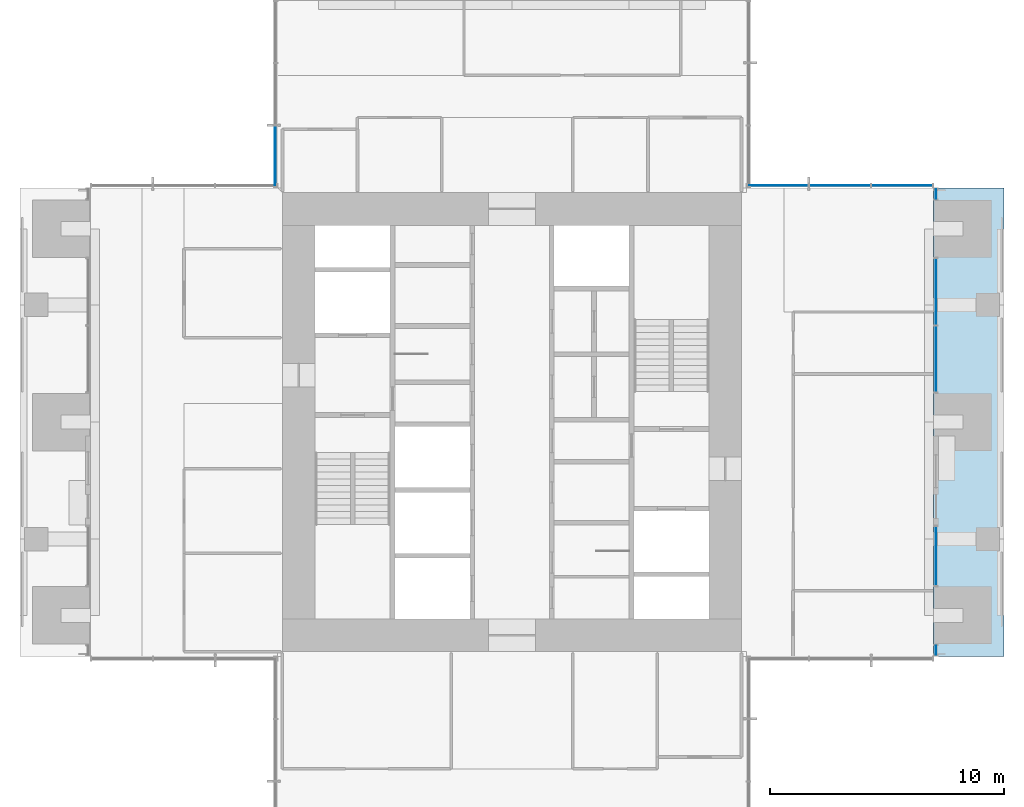
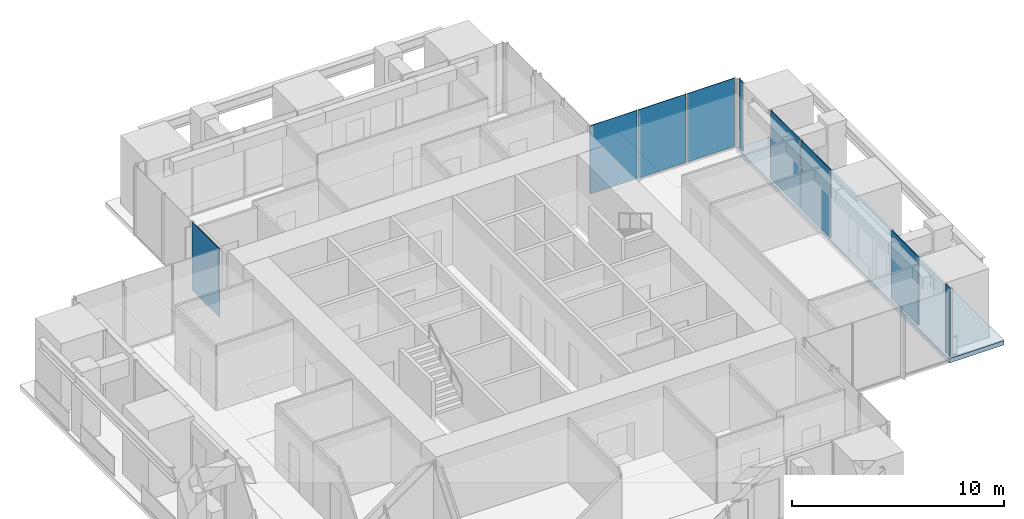
# One storey, part 10 of 17: 9 plates, 1 slab, 6 elements without a shape of their own.
"""IFC4 building model written with IfcOpenShell, lengths in metres."""

import ifcopenshell
import ifcopenshell.guid

model = None  # the IFC model being written
_history = None  # IfcOwnerHistory: only IFC2X3 demands one
_inside = {}  # id of a spatial element -> (the spatial element, [elements in it])
_under = {}  # id of a project, library or spatial element -> (it, [spatial elements below it])
_declared = {}  # id of a project -> (the project, [libraries it declares])
_typed = {}  # id of a type object -> (the type object, [elements of that type])
_made_of = {}  # id of a material, layer set ... -> (it, [elements and type objects made of it])


def new_model(schema):
    """Start an empty IFC model of exactly this schema.

    Asked for "IFC4X3", IfcOpenShell would pick the latest addendum, in which some entities
    have other attributes; the version numbers below select the first issue.
    IFC2X3 requires an IfcOwnerHistory on every rooted entity: one is made here for all.
    """
    global model, _history
    if schema == "IFC4X3":
        model = ifcopenshell.file(schema_version=(4, 3, 0, 0))
    else:
        model = ifcopenshell.file(schema=schema)
    _inside.clear()
    _under.clear()
    _declared.clear()
    _typed.clear()
    _made_of.clear()
    _history = None
    if model.schema == "IFC2X3":
        org = make("IfcOrganization", Name="unknown")
        user = make(
            "IfcPersonAndOrganization",
            ThePerson=make("IfcPerson", FamilyName="unknown"),
            TheOrganization=org,
        )
        app = make(
            "IfcApplication",
            ApplicationDeveloper=org,
            Version="unknown",
            ApplicationFullName="unknown",
            ApplicationIdentifier="unknown",
        )
        _history = make(
            "IfcOwnerHistory",
            OwningUser=user,
            OwningApplication=app,
            ChangeAction="ADDED",
            CreationDate=0,
        )
    return model


def make(cls, **values):
    """One entity of the class cls with the attributes given. An attribute that is None is left unset."""
    return model.create_entity(
        cls, **{name: value for name, value in values.items() if value is not None}
    )


def rooted(cls, **values):
    """An entity with a GlobalId (a new one), such as an element, a storey or a relation."""
    return make(cls, GlobalId=ifcopenshell.guid.new(), OwnerHistory=_history, **values)


def si_unit(unit_type, name, prefix=None):
    """IfcSIUnit, for example si_unit("LENGTHUNIT", "METRE", prefix="MILLI")."""
    return make("IfcSIUnit", UnitType=unit_type, Prefix=prefix, Name=name)


def assignment(units):
    """IfcUnitAssignment: the units of a project."""
    return None if units is None else make("IfcUnitAssignment", Units=units)


def point(xyz):
    """IfcCartesianPoint."""
    return None if xyz is None else make("IfcCartesianPoint", Coordinates=xyz)


def direction(xyz):
    """IfcDirection."""
    return None if xyz is None else make("IfcDirection", DirectionRatios=xyz)


def frame(location, z_axis=None, x_axis=None):
    """IfcAxis2Placement3D, a coordinate frame: its origin and axes. An axis left out is left unset."""
    return make(
        "IfcAxis2Placement3D",
        Location=point(location),
        Axis=direction(z_axis),
        RefDirection=direction(x_axis),
    )


def frame_2d(location, x_axis=None):
    """IfcAxis2Placement2D, a coordinate frame in the plane: its origin and x axis."""
    return make(
        "IfcAxis2Placement2D", Location=point(location), RefDirection=direction(x_axis)
    )


def origin():
    """The frame at (0, 0, 0) with its axes left unset."""
    return frame((0.0, 0.0, 0.0))


def origin_2d():
    """The frame at (0, 0) in the plane with its x axis left unset."""
    return frame_2d((0.0, 0.0))


def place(relative_to, where):
    """IfcLocalPlacement: puts the frame where relative to a parent placement (None: the world)."""
    return make(
        "IfcLocalPlacement", PlacementRelTo=relative_to, RelativePlacement=where
    )


def context(
    kind, dimensions, precision=None, world=None, true_north=None, identifier=None
):
    """IfcGeometricRepresentationContext, for example the 3D "Model" context."""
    return make(
        "IfcGeometricRepresentationContext",
        ContextIdentifier=identifier,
        ContextType=kind,
        CoordinateSpaceDimension=dimensions,
        Precision=precision,
        WorldCoordinateSystem=world,
        TrueNorth=true_north,
    )


def subcontext(parent, identifier, kind, view, scale=None):
    """IfcGeometricRepresentationSubContext, for example "Body" below "Model"."""
    return make(
        "IfcGeometricRepresentationSubContext",
        ContextIdentifier=identifier,
        ContextType=kind,
        ParentContext=parent,
        TargetScale=scale,
        TargetView=view,
    )


def project(units=None, contexts=None):
    """IfcProject with its units and contexts."""
    return rooted(
        "IfcProject",
        Name="project",
        RepresentationContexts=contexts,
        UnitsInContext=assignment(units),
    )


def spatial(cls, under=None, at=None, **own):
    """A site, building, storey or space (cls), placed at a placement, below another one or the project."""
    s = rooted(cls, ObjectPlacement=at, **own)
    if under is not None:
        _under.setdefault(under.id(), (under, []))[1].append(s)
    return s


def polyline(points):
    """IfcPolyline through the points."""
    return make("IfcPolyline", Points=[point(p) for p in points])


def profile(cls, at=None, kind="AREA", **sizes):
    """A parametric profile (cls). Its sizes go by their IFC names, for example OverallWidth=200.0."""
    return make(cls, ProfileType=kind, Position=at, **sizes)


def rectangle(**sizes):
    """IfcRectangleProfileDef."""
    return profile("IfcRectangleProfileDef", **sizes)


def outline(outer, holes=None, kind="AREA"):
    """IfcArbitraryClosedProfileDef: a profile drawn as a closed curve; with holes, ...WithVoids."""
    if holes is None:
        return make("IfcArbitraryClosedProfileDef", ProfileType=kind, OuterCurve=outer)
    return make(
        "IfcArbitraryProfileDefWithVoids",
        ProfileType=kind,
        OuterCurve=outer,
        InnerCurves=holes,
    )


def extrude(swept, where, along, depth):
    """IfcExtrudedAreaSolid: the profile swept, set in the frame where, extruded along a direction by depth."""
    return make(
        "IfcExtrudedAreaSolid",
        SweptArea=swept,
        Position=where,
        ExtrudedDirection=direction(along),
        Depth=depth,
    )


def shape(context_of_items, identifier, shape_type, items):
    """IfcShapeRepresentation: the items that make up one representation, for example the "Body"."""
    return make(
        "IfcShapeRepresentation",
        ContextOfItems=context_of_items,
        RepresentationIdentifier=identifier,
        RepresentationType=shape_type,
        Items=items,
    )


def material(Name=None, Category=None):
    """IfcMaterial."""
    return make("IfcMaterial", Name=Name, Category=Category)


def layer(
    of_material, thickness, ventilated=None, Name=None, Category=None, Priority=None
):
    """IfcMaterialLayer: one layer of a wall or slab, of a material (None: an air gap)."""
    return make(
        "IfcMaterialLayer",
        Material=of_material,
        LayerThickness=thickness,
        IsVentilated=ventilated,
        Name=Name,
        Category=Category,
        Priority=Priority,
    )


def layer_set(layers, Name=None):
    """IfcMaterialLayerSet."""
    return make("IfcMaterialLayerSet", MaterialLayers=layers, LayerSetName=Name)


def made_of(thing, what):
    """Note that an element or type object is made of a material, layer set ...; save() writes the relation."""
    if what is not None:
        _made_of.setdefault(what.id(), (what, []))[1].append(thing)
    return thing


def type_object(cls, material=None, **own):
    """A type object (cls), such as IfcWallType, which elements share."""
    return made_of(rooted(cls, **own), material)


def element(
    cls,
    number,
    at=None,
    inside=None,
    cuts=None,
    type_object=None,
    material=None,
    context=None,
    identifier="Body",
    shape_type=None,
    held_by="IfcProductDefinitionShape",
    body=None,
    shapes=None,
    **own,
):
    """One element of the class cls, such as IfcWall. Its Tag is "e" and its number.

    at: its placement. inside: the storey or other place that contains it. cuts: it is an
    opening in that element (IfcRelVoidsElement). A single representation is given by context,
    identifier, shape_type and body (its items); several are given by shapes. held_by: the class
    of the entity that holds the representations. save() writes the other relations.
    """
    e = rooted(cls, Tag="e%d" % number, ObjectPlacement=at, **own)
    if body is not None:
        shapes = [shape(context, identifier, shape_type, body)]
    if shapes is not None:
        e.Representation = make(held_by, Representations=shapes)
    if inside is not None:
        _inside.setdefault(inside.id(), (inside, []))[1].append(e)
    if cuts is not None:
        rooted(
            "IfcRelVoidsElement", RelatingBuildingElement=cuts, RelatedOpeningElement=e
        )
    if type_object is not None:
        _typed.setdefault(type_object.id(), (type_object, []))[1].append(e)
    return made_of(e, material)


def aggregate(whole, parts):
    """IfcRelAggregates: a whole, such as a stair, and the parts it consists of."""
    return rooted("IfcRelAggregates", RelatingObject=whole, RelatedObjects=parts)


def save(model, path):
    """Write the relations noted so far, then the file.

    IfcRelAggregates (storeys below a building ...), IfcRelContainedInSpatialStructure (elements
    in a storey), IfcRelDefinesByType, IfcRelAssociatesMaterial and IfcRelDeclares: one each for
    every whole, place, type object, material and project.
    """
    for whole, parts in _under.values():
        aggregate(whole, parts)
    for where, things in _inside.values():
        rooted(
            "IfcRelContainedInSpatialStructure",
            RelatedElements=things,
            RelatingStructure=where,
        )
    for kind, things in _typed.values():
        rooted("IfcRelDefinesByType", RelatedObjects=things, RelatingType=kind)
    for what, things in _made_of.values():
        rooted("IfcRelAssociatesMaterial", RelatedObjects=things, RelatingMaterial=what)
    for by, libraries in _declared.values():
        rooted("IfcRelDeclares", RelatingContext=by, RelatedDefinitions=libraries)
    model.write(path)


model = new_model("IFC4")

# Units and contexts
model_context = context("Model", 3, precision=1e-05, world=origin(), true_north=direction((0.0, 1.0)))
body_context = subcontext(model_context, "Body", "Model", "MODEL_VIEW")
ifc_project = project(units=[si_unit("LENGTHUNIT", "METRE"), si_unit("AREAUNIT", "SQUARE_METRE"), si_unit("VOLUMEUNIT", "CUBIC_METRE"), si_unit("PLANEANGLEUNIT", "RADIAN"), si_unit("MASSUNIT", "GRAM", prefix="KILO")], contexts=[model_context])

# Site, building, storey
site_placement = place(None, origin())
site = spatial("IfcSite", under=ifc_project, at=site_placement, CompositionType="ELEMENT")
building_placement = place(site_placement, origin())
building = spatial("IfcBuilding", under=site, at=building_placement, Name="Svetlomir Tower", CompositionType="ELEMENT")
storey_placement = place(building_placement, frame((0.0, 0.0, 186.5)))
storey = spatial("IfcBuildingStorey", under=building, at=storey_placement, Name="L44", CompositionType="ELEMENT", Elevation=186.5)

# Curtain wall, plate
ifc_material_1 = material(Name="Bronze anodised aluminium curtain wall", Category="aluminium")
curtain_wall_type = type_object("IfcCurtainWallType", Name="CURTAIN WALL CW1 TOWER OFFICE", PredefinedType="NOTDEFINED", material=ifc_material_1)
curtain_wall_1_placement = place(storey_placement, origin())
curtain_wall_1 = element("IfcCurtainWall", 1, at=curtain_wall_1_placement, inside=storey, type_object=curtain_wall_type, Name="Curtain wall CW1 L44", PredefinedType="NOTDEFINED")
ifc_material_2 = material(Name="Tinted double glazed unit", Category="glass")
ifc_layer_1 = layer(ifc_material_2, 0.031982421875)
ifc_layer_set_1 = layer_set([ifc_layer_1], Name="Tinted double glazed unit")
plate_type = type_object("IfcPlateType", Name="CW1 GLAZED PANEL 32", PredefinedType="CURTAIN_PANEL", material=ifc_layer_set_1)
plate_1_placement = place(storey_placement, frame((39.10009765625, 11.262451171875, 0.06494140625), z_axis=(0.0, 0.0, 1.0), x_axis=(0.0, 1.0, 0.0)))
plate_1 = element("IfcPlate", 2, at=plate_1_placement, type_object=plate_type, Name="CW1 panel 1.1", PredefinedType="CURTAIN_PANEL", context=body_context, shape_type="SweptSolid", body=[
    extrude(rectangle(XDim=0.39501953125, YDim=0.031982421875, at=origin_2d()), origin(), (0.0, 0.0, 1.0), 3.93505859375),
])
aggregate(curtain_wall_1, [plate_1])

curtain_wall_2_placement = place(storey_placement, origin())
curtain_wall_2 = element("IfcCurtainWall", 3, at=curtain_wall_2_placement, inside=storey, type_object=curtain_wall_type, Name="Curtain wall CW1 L44", PredefinedType="NOTDEFINED")
plate_2_placement = place(storey_placement, frame((39.10009765625, 15.28759765625, 0.06494140625), z_axis=(0.0, 0.0, 1.0), x_axis=(0.0, 1.0, 0.0)))
plate_2 = element("IfcPlate", 4, at=plate_2_placement, type_object=plate_type, Name="CW1 panel 1.1", PredefinedType="CURTAIN_PANEL", context=body_context, shape_type="SweptSolid", body=[
    extrude(rectangle(XDim=2.4951171875, YDim=0.031982421875, at=origin_2d()), origin(), (0.0, 0.0, 1.0), 3.93505859375),
])
aggregate(curtain_wall_2, [plate_2])

# Curtain wall, plates
curtain_wall_3_placement = place(storey_placement, origin())
curtain_wall_3 = element("IfcCurtainWall", 5, at=curtain_wall_3_placement, inside=storey, type_object=curtain_wall_type, Name="Curtain wall CW1 L44", PredefinedType="NOTDEFINED")
plate_3_placement = place(storey_placement, frame((39.10009765625, 23.691162109375, 0.06494140625), z_axis=(0.0, 0.0, 1.0), x_axis=(0.0, 1.0, 0.0)))
plate_3 = element("IfcPlate", 6, at=plate_3_placement, type_object=plate_type, Name="CW1 panel 1.1", PredefinedType="CURTAIN_PANEL", context=body_context, shape_type="SweptSolid", body=[
    extrude(rectangle(XDim=2.802490234375, YDim=0.031982421875, at=origin_2d()), origin(), (0.0, 0.0, 1.0), 3.93505859375),
])
plate_4_placement = place(storey_placement, frame((39.10009765625, 26.558837890625, 0.06494140625), z_axis=(0.0, 0.0, 1.0), x_axis=(0.0, 1.0, 0.0)))
plate_4 = element("IfcPlate", 7, at=plate_4_placement, type_object=plate_type, Name="CW1 panel 2.1", PredefinedType="CURTAIN_PANEL", context=body_context, shape_type="SweptSolid", body=[
    extrude(rectangle(XDim=2.802490234375, YDim=0.031982421875, at=origin_2d()), origin(), (0.0, 0.0, 1.0), 3.93505859375),
])
aggregate(curtain_wall_3, [plate_3, plate_4])

# Curtain wall, plate
curtain_wall_4_placement = place(storey_placement, origin())
curtain_wall_4 = element("IfcCurtainWall", 8, at=curtain_wall_4_placement, inside=storey, type_object=curtain_wall_type, Name="Curtain wall CW1 L44", PredefinedType="NOTDEFINED")
plate_5_placement = place(storey_placement, frame((39.10009765625, 30.737548828125, 0.06494140625), z_axis=(0.0, 0.0, 1.0), x_axis=(0.0, 1.0, 0.0)))
plate_5 = element("IfcPlate", 9, at=plate_5_placement, type_object=plate_type, Name="CW1 panel 1.1", PredefinedType="CURTAIN_PANEL", context=body_context, shape_type="SweptSolid", body=[
    extrude(rectangle(XDim=0.39501953125, YDim=0.031982421875, at=origin_2d()), origin(), (0.0, 0.0, 1.0), 3.93505859375),
])
aggregate(curtain_wall_4, [plate_5])

# Curtain wall, plates
curtain_wall_5_placement = place(storey_placement, origin())
curtain_wall_5 = element("IfcCurtainWall", 10, at=curtain_wall_5_placement, inside=storey, type_object=curtain_wall_type, Name="Curtain wall CW1 L44", PredefinedType="NOTDEFINED")
plate_6_placement = place(storey_placement, frame((37.650390625, 31.10009765625, 0.06494140625), z_axis=(0.0, 0.0, 1.0), x_axis=(-1.0, 0.0, 0.0)))
plate_6 = element("IfcPlate", 11, at=plate_6_placement, type_object=plate_type, Name="CW1 panel 1.1", PredefinedType="CURTAIN_PANEL", context=body_context, shape_type="SweptSolid", body=[
    extrude(rectangle(XDim=2.569091796875, YDim=0.031982421875, at=origin_2d()), origin(), (0.0, 0.0, 1.0), 3.93505859375),
])
plate_7_placement = place(storey_placement, frame((35.0, 31.10009765625, 0.06494140625), z_axis=(0.0, 0.0, 1.0), x_axis=(-1.0, 0.0, 0.0)))
plate_7 = element("IfcPlate", 12, at=plate_7_placement, type_object=plate_type, Name="CW1 panel 2.1", PredefinedType="CURTAIN_PANEL", context=body_context, shape_type="SweptSolid", body=[
    extrude(rectangle(XDim=2.6015625, YDim=0.031982421875, at=origin_2d()), origin(), (0.0, 0.0, 1.0), 3.93505859375),
])
plate_8_placement = place(storey_placement, frame((32.349609375, 31.10009765625, 0.06494140625), z_axis=(0.0, 0.0, 1.0), x_axis=(-1.0, 0.0, 0.0)))
plate_8 = element("IfcPlate", 13, at=plate_8_placement, type_object=plate_type, Name="CW1 panel 3.1", PredefinedType="CURTAIN_PANEL", context=body_context, shape_type="SweptSolid", body=[
    extrude(rectangle(XDim=2.569091796875, YDim=0.031982421875, at=origin_2d()), origin(), (0.0, 0.0, 1.0), 3.93505859375),
])
aggregate(curtain_wall_5, [plate_6, plate_7, plate_8])

# Curtain wall, plate
curtain_wall_6_placement = place(storey_placement, origin())
curtain_wall_6 = element("IfcCurtainWall", 14, at=curtain_wall_6_placement, inside=storey, type_object=curtain_wall_type, Name="Curtain wall CW1 L44", PredefinedType="NOTDEFINED")
plate_9_placement = place(storey_placement, frame((10.89990234375, 32.349609375, 0.06494140625), z_axis=(0.0, 0.0, 1.0), x_axis=(0.0, -1.0, 0.0)))
plate_9 = element("IfcPlate", 15, at=plate_9_placement, type_object=plate_type, Name="CW1 panel 3.1", PredefinedType="CURTAIN_PANEL", context=body_context, shape_type="SweptSolid", body=[
    extrude(rectangle(XDim=2.569091796875, YDim=0.031982421875, at=origin_2d()), origin(), (0.0, 0.0, 1.0), 3.93505859375),
])
aggregate(curtain_wall_6, [plate_9])

# Slab
ifc_material_3 = material(Name="Concrete C60/75", Category="concrete")
ifc_layer_2 = layer(ifc_material_3, 0.25)
ifc_layer_set_2 = layer_set([ifc_layer_2], Name="Concrete C60/75")
slab_type = type_object("IfcSlabType", Name="PLANTED LOGGIA SLAB 250", PredefinedType="FLOOR", material=ifc_layer_set_2)
slab_placement = place(storey_placement, frame((0.0, 0.0, -0.25)))
element("IfcSlab", 16, at=slab_placement, inside=storey, type_object=slab_type, Name="L44 E planted loggia", PredefinedType="FLOOR", context=body_context, shape_type="SweptSolid", body=[
    extrude(outline(polyline([(39.0, 11.0), (42.0, 11.0), (42.0, 31.0), (39.0, 31.0), (39.0, 11.0)])), origin(), (0.0, 0.0, 1.0), 0.25),
])

save(model, "model.ifc")
